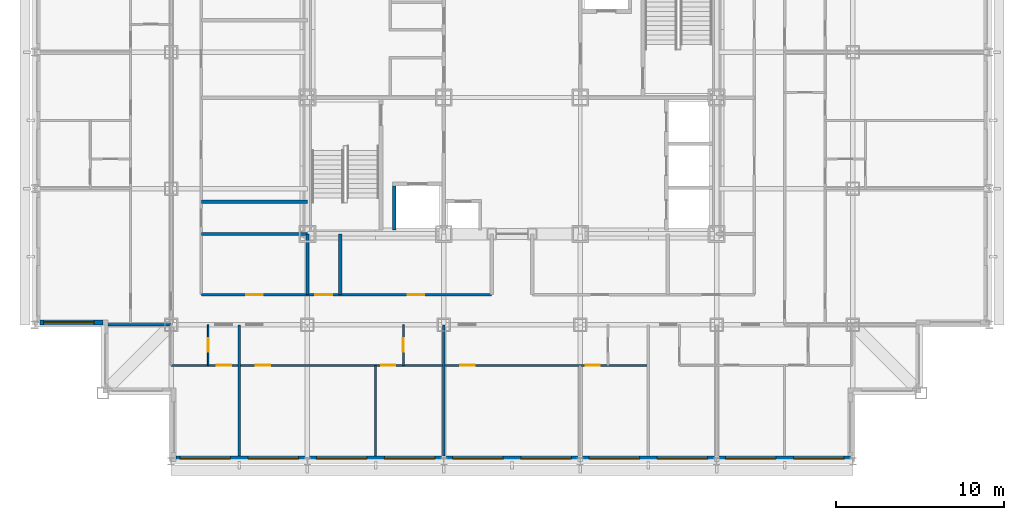
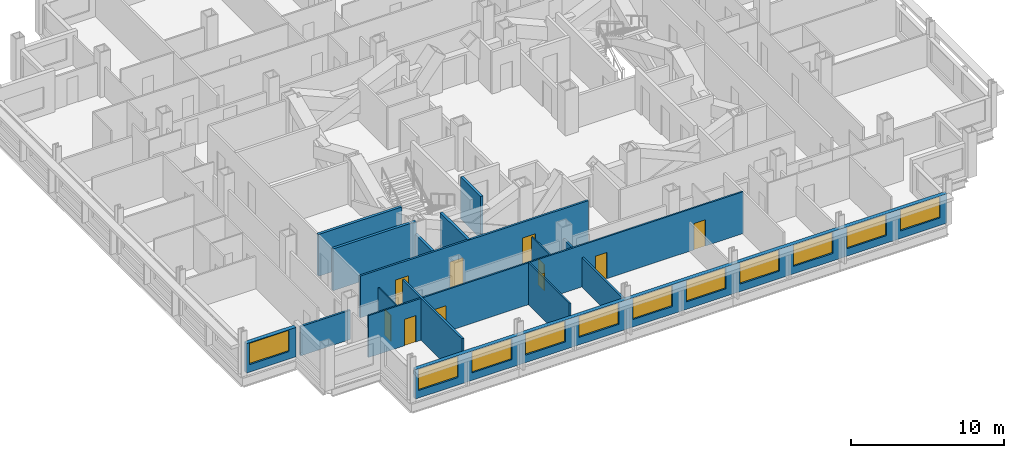
# One storey, part 4 of 12: 15 walls, 11 windows, 10 doors, 21 openings.
"""IFC4 building model written with IfcOpenShell, lengths in metres."""

from ifc_helpers import new_model, si_unit, direction, frame, frame_2d, origin, place, context, subcontext, project, spatial, rectangle, extrude, material, layer, layer_set, type_object, element, fill, save


model = new_model("IFC4")

# Units and contexts
model_context = context("Model", 3, precision=1e-05, world=origin(), true_north=direction((0.0, 1.0)))
body_context = subcontext(model_context, "Body", "Model", "MODEL_VIEW")
ifc_project = project(units=[si_unit("LENGTHUNIT", "METRE"), si_unit("AREAUNIT", "SQUARE_METRE"), si_unit("VOLUMEUNIT", "CUBIC_METRE"), si_unit("PLANEANGLEUNIT", "RADIAN"), si_unit("MASSUNIT", "GRAM", prefix="KILO")], contexts=[model_context])

# Site, building, storey
site_placement = place(None, origin())
site = spatial("IfcSite", under=ifc_project, at=site_placement, CompositionType="ELEMENT")
building_placement = place(site_placement, origin())
building = spatial("IfcBuilding", under=site, at=building_placement, Name="Kopane Lantern Tower", CompositionType="ELEMENT")
storey_placement = place(building_placement, frame((0.0, 0.0, 231.60009765625)))
storey = spatial("IfcBuildingStorey", under=building, at=storey_placement, Name="L60", CompositionType="ELEMENT", Elevation=231.60009765625)

# Wall
ifc_material_1 = material(Name="Gypsum board on steel studs", Category="steel")
ifc_layer_1 = layer(ifc_material_1, 0.1201171875)
ifc_layer_set_1 = layer_set([ifc_layer_1], Name="APARTMENT INTERNAL WALL 120")
wall_type_1 = type_object("IfcWallType", Name="APARTMENT INTERNAL WALL 120", PredefinedType="PARTITIONING", material=ifc_layer_set_1)
wall_1_placement = place(storey_placement, frame((20.25, 16.5, 0.0), z_axis=(0.0, 0.0, 1.0), x_axis=(0.0, -1.0, 0.0)))
element("IfcWall", 1, at=wall_1_placement, inside=storey, type_object=wall_type_1, Name="Apartment Internal Wall 120 L60", PredefinedType="PARTITIONING", context=body_context, shape_type="SweptSolid", body=[
    extrude(rectangle(XDim=5.39990234375, YDim=0.1201171875, at=frame_2d((2.699951171875, 0.0))), origin(), (0.0, 0.0, 1.0), 3.349853515625),
])

# Wall, openings, doors
wall_2_placement = place(storey_placement, frame((8.10009765625, 16.5, 0.0), z_axis=(0.0, 0.0, 1.0), x_axis=(1.0, 0.0, 0.0)))
wall_2 = element("IfcWall", 2, at=wall_2_placement, inside=storey, type_object=wall_type_1, Name="Apartment Internal Wall 120 L60", PredefinedType="PARTITIONING", context=body_context, shape_type="SweptSolid", body=[
    extrude(rectangle(XDim=28.349853515625, YDim=0.1201171875, at=frame_2d((14.1748046875, 0.0))), origin(), (0.0, 0.0, 1.0), 3.349853515625),
])
opening_1_placement = place(wall_2_placement, frame((5.02490234375, 0.0, 0.0)))
opening_1 = element("IfcOpeningElement", 3, at=opening_1_placement, cuts=wall_2, Name="Opening L60-014", PredefinedType="OPENING", context=body_context, shape_type="SweptSolid", body=[
    extrude(rectangle(XDim=0.85009765625, YDim=2.10009765625, at=frame_2d((0.425048828125, 1.050048828125))), frame((0.0, 0.070068359375, 0.0), z_axis=(0.0, -1.0, 0.0), x_axis=(1.0, 0.0, 0.0)), (0.0, 0.0, 1.0), 0.14013671875),
])
opening_2_placement = place(wall_2_placement, frame((12.47509765625, 0.0, 0.0)))
opening_2 = element("IfcOpeningElement", 4, at=opening_2_placement, cuts=wall_2, Name="Opening L60-015", PredefinedType="OPENING", context=body_context, shape_type="SweptSolid", body=[
    extrude(rectangle(XDim=0.85009765625, YDim=2.10009765625, at=frame_2d((0.425048828125, 1.050048828125))), frame((0.0, 0.070068359375, 0.0), z_axis=(0.0, -1.0, 0.0), x_axis=(1.0, 0.0, 0.0)), (0.0, 0.0, 1.0), 0.14013671875),
])
opening_3_placement = place(wall_2_placement, frame((17.175048828125, 0.0, 0.0)))
opening_3 = element("IfcOpeningElement", 5, at=opening_3_placement, cuts=wall_2, Name="Opening L60-018", PredefinedType="OPENING", context=body_context, shape_type="SweptSolid", body=[
    extrude(rectangle(XDim=0.85009765625, YDim=2.10009765625, at=frame_2d((0.425048828125, 1.050048828125))), frame((0.0, 0.070068359375, 0.0), z_axis=(0.0, -1.0, 0.0), x_axis=(1.0, 0.0, 0.0)), (0.0, 0.0, 1.0), 0.14013671875),
])
opening_4_placement = place(wall_2_placement, frame((24.625, 0.0, 0.0)))
opening_4 = element("IfcOpeningElement", 6, at=opening_4_placement, cuts=wall_2, Name="Opening L60-019", PredefinedType="OPENING", context=body_context, shape_type="SweptSolid", body=[
    extrude(rectangle(XDim=0.85009765625, YDim=2.10009765625, at=frame_2d((0.425048828125, 1.050048828125))), frame((0.0, 0.070068359375, 0.0), z_axis=(0.0, -1.0, 0.0), x_axis=(1.0, 0.0, 0.0)), (0.0, 0.0, 1.0), 0.14013671875),
])
opening_5_placement = place(wall_2_placement, frame((2.72509765625, 0.0, 0.0)))
opening_5 = element("IfcOpeningElement", 7, at=opening_5_placement, cuts=wall_2, Name="Opening L60-053", PredefinedType="OPENING", context=body_context, shape_type="SweptSolid", body=[
    extrude(rectangle(XDim=0.85009765625, YDim=2.10009765625, at=frame_2d((0.425048828125, 1.050048828125))), frame((0.0, 0.070068359375, 0.0), z_axis=(0.0, -1.0, 0.0), x_axis=(1.0, 0.0, 0.0)), (0.0, 0.0, 1.0), 0.14013671875),
])
ifc_material_2 = material(Name="Timber door set", Category="wood")
door_type_1 = type_object("IfcDoorType", Name="DOOR D4 850x2100", OperationType="SINGLE_SWING_LEFT", PredefinedType="DOOR", material=ifc_material_2)
door_1_placement = place(opening_1_placement, origin())
door_1 = element("IfcDoor", 8, at=door_1_placement, inside=storey, type_object=door_type_1, Name="Door L60-014", OperationType="SINGLE_SWING_LEFT", OverallHeight=2.10009765625, OverallWidth=0.85009765625, PredefinedType="DOOR", context=body_context, shape_type="SweptSolid", body=[
    extrude(rectangle(XDim=0.85009765625, YDim=2.10009765625, at=frame_2d((0.425048828125, 1.050048828125))), frame((0.0, 0.02490234375, 0.0), z_axis=(0.0, -1.0, 0.0), x_axis=(1.0, 0.0, 0.0)), (0.0, 0.0, 1.0), 0.050048828125),
])
fill(opening_1, door_1)
door_2_placement = place(opening_2_placement, origin())
door_2 = element("IfcDoor", 9, at=door_2_placement, inside=storey, type_object=door_type_1, Name="Door L60-015", OperationType="SINGLE_SWING_RIGHT", OverallHeight=2.10009765625, OverallWidth=0.85009765625, PredefinedType="DOOR", context=body_context, shape_type="SweptSolid", body=[
    extrude(rectangle(XDim=0.85009765625, YDim=2.10009765625, at=frame_2d((0.425048828125, 1.050048828125))), frame((0.0, 0.02490234375, 0.0), z_axis=(0.0, -1.0, 0.0), x_axis=(1.0, 0.0, 0.0)), (0.0, 0.0, 1.0), 0.050048828125),
])
fill(opening_2, door_2)
door_3_placement = place(opening_3_placement, origin())
door_3 = element("IfcDoor", 10, at=door_3_placement, inside=storey, type_object=door_type_1, Name="Door L60-018", OperationType="SINGLE_SWING_RIGHT", OverallHeight=2.10009765625, OverallWidth=0.85009765625, PredefinedType="DOOR", context=body_context, shape_type="SweptSolid", body=[
    extrude(rectangle(XDim=0.85009765625, YDim=2.10009765625, at=frame_2d((0.425048828125, 1.050048828125))), frame((0.0, 0.02490234375, 0.0), z_axis=(0.0, -1.0, 0.0), x_axis=(1.0, 0.0, 0.0)), (0.0, 0.0, 1.0), 0.050048828125),
])
fill(opening_3, door_3)
door_4_placement = place(opening_4_placement, origin())
door_4 = element("IfcDoor", 11, at=door_4_placement, inside=storey, type_object=door_type_1, Name="Door L60-019", OperationType="SINGLE_SWING_RIGHT", OverallHeight=2.10009765625, OverallWidth=0.85009765625, PredefinedType="DOOR", context=body_context, shape_type="SweptSolid", body=[
    extrude(rectangle(XDim=0.85009765625, YDim=2.10009765625, at=frame_2d((0.425048828125, 1.050048828125))), frame((0.0, 0.02490234375, 0.0), z_axis=(0.0, -1.0, 0.0), x_axis=(1.0, 0.0, 0.0)), (0.0, 0.0, 1.0), 0.050048828125),
])
fill(opening_4, door_4)
door_5_placement = place(opening_5_placement, origin())
door_5 = element("IfcDoor", 12, at=door_5_placement, inside=storey, type_object=door_type_1, Name="Door L60-053", OperationType="SINGLE_SWING_LEFT", OverallHeight=2.10009765625, OverallWidth=0.85009765625, PredefinedType="DOOR", context=body_context, shape_type="SweptSolid", body=[
    extrude(rectangle(XDim=0.85009765625, YDim=2.10009765625, at=frame_2d((0.425048828125, 1.050048828125))), frame((0.0, 0.02490234375, 0.0), z_axis=(0.0, -1.0, 0.0), x_axis=(1.0, 0.0, 0.0)), (0.0, 0.0, 1.0), 0.050048828125),
])
fill(opening_5, door_5)

# Wall, opening, door
ifc_material_3 = material(Name="Moisture-resistant board on steel studs", Category="steel")
ifc_layer_2 = layer(ifc_material_3, 0.10009765625)
ifc_layer_set_2 = layer_set([ifc_layer_2], Name="BATHROOM WALL 100")
wall_type_2 = type_object("IfcWallType", Name="BATHROOM WALL 100", PredefinedType="PARTITIONING", material=ifc_layer_set_2)
wall_3_placement = place(storey_placement, frame((21.89990234375, 18.89990234375, 0.0), z_axis=(0.0, 0.0, 1.0), x_axis=(0.0, -1.0, 0.0)))
wall_3 = element("IfcWall", 13, at=wall_3_placement, inside=storey, type_object=wall_type_2, Name="Bathroom Wall 100 L60", PredefinedType="PARTITIONING", context=body_context, shape_type="SweptSolid", body=[
    extrude(rectangle(XDim=2.39990234375, YDim=0.10009765625, at=frame_2d((1.199951171875, 0.0))), origin(), (0.0, 0.0, 1.0), 3.349853515625),
])
opening_6_placement = place(wall_3_placement, frame((0.800048828125, 0.0, 0.0)))
opening_6 = element("IfcOpeningElement", 14, at=opening_6_placement, cuts=wall_3, Name="Opening L60-012", PredefinedType="OPENING", context=body_context, shape_type="SweptSolid", body=[
    extrude(rectangle(XDim=0.800048828125, YDim=2.10009765625, at=frame_2d((0.39990234375, 1.050048828125))), frame((0.0, 0.06005859375, 0.0), z_axis=(0.0, -1.0, 0.0), x_axis=(1.0, 0.0, 0.0)), (0.0, 0.0, 1.0), 0.1201171875),
])
ifc_material_4 = material(Name="Timber door set", Category="wood")
door_type_2 = type_object("IfcDoorType", Name="DOOR D2 800x2100", OperationType="SINGLE_SWING_LEFT", PredefinedType="DOOR", material=ifc_material_4)
door_6_placement = place(opening_6_placement, origin())
door_6 = element("IfcDoor", 15, at=door_6_placement, inside=storey, type_object=door_type_2, Name="Door L60-012", OperationType="SINGLE_SWING_LEFT", OverallHeight=2.10009765625, OverallWidth=0.800048828125, PredefinedType="DOOR", context=body_context, shape_type="SweptSolid", body=[
    extrude(rectangle(XDim=0.800048828125, YDim=2.10009765625, at=frame_2d((0.39990234375, 1.050048828125))), frame((0.0, 0.02490234375, 0.0), z_axis=(0.0, -1.0, 0.0), x_axis=(1.0, 0.0, 0.0)), (0.0, 0.0, 1.0), 0.050048828125),
])
fill(opening_6, door_6)

wall_4_placement = place(storey_placement, frame((10.300048828125, 18.89990234375, 0.0), z_axis=(0.0, 0.0, 1.0), x_axis=(0.0, -1.0, 0.0)))
wall_4 = element("IfcWall", 16, at=wall_4_placement, inside=storey, type_object=wall_type_2, Name="Bathroom Wall 100 L60", PredefinedType="PARTITIONING", context=body_context, shape_type="SweptSolid", body=[
    extrude(rectangle(XDim=2.39990234375, YDim=0.10009765625, at=frame_2d((1.199951171875, 0.0))), origin(), (0.0, 0.0, 1.0), 3.349853515625),
])
opening_7_placement = place(wall_4_placement, frame((0.800048828125, 0.0, 0.0)))
opening_7 = element("IfcOpeningElement", 17, at=opening_7_placement, cuts=wall_4, Name="Opening L60-051", PredefinedType="OPENING", context=body_context, shape_type="SweptSolid", body=[
    extrude(rectangle(XDim=0.800048828125, YDim=2.10009765625, at=frame_2d((0.39990234375, 1.050048828125))), frame((0.0, 0.06005859375, 0.0), z_axis=(0.0, -1.0, 0.0), x_axis=(1.0, 0.0, 0.0)), (0.0, 0.0, 1.0), 0.1201171875),
])
door_7_placement = place(opening_7_placement, origin())
door_7 = element("IfcDoor", 18, at=door_7_placement, inside=storey, type_object=door_type_2, Name="Door L60-051", OperationType="SINGLE_SWING_RIGHT", OverallHeight=2.10009765625, OverallWidth=0.800048828125, PredefinedType="DOOR", context=body_context, shape_type="SweptSolid", body=[
    extrude(rectangle(XDim=0.800048828125, YDim=2.10009765625, at=frame_2d((0.39990234375, 1.050048828125))), frame((0.0, 0.02490234375, 0.0), z_axis=(0.0, -1.0, 0.0), x_axis=(1.0, 0.0, 0.0)), (0.0, 0.0, 1.0), 0.050048828125),
])
fill(opening_7, door_7)

# Wall, openings, doors
ifc_material_5 = material(Name="Gypsum board on steel studs", Category="steel")
ifc_layer_3 = layer(ifc_material_5, 0.14990234375)
ifc_layer_set_3 = layer_set([ifc_layer_3], Name="CORRIDOR WALL 150 EI 60")
wall_type_3 = type_object("IfcWallType", Name="CORRIDOR WALL 150 EI 60", PredefinedType="PARTITIONING", material=ifc_layer_set_3)
wall_5_placement = place(storey_placement, frame((9.89990234375, 20.699951171875, 0.0), z_axis=(0.0, 0.0, 1.0), x_axis=(1.0, 0.0, 0.0)))
wall_5 = element("IfcWall", 19, at=wall_5_placement, inside=storey, type_object=wall_type_3, Name="Corridor Wall 150 Ei 60 L60", PredefinedType="PARTITIONING", context=body_context, shape_type="SweptSolid", body=[
    extrude(rectangle(XDim=17.239990234375, YDim=0.14990234375, at=frame_2d((8.6201171875, 0.0))), origin(), (0.0, 0.0, 1.0), 3.349853515625),
])
opening_8_placement = place(wall_5_placement, frame((2.64990234375, 0.0, 0.0)))
opening_8 = element("IfcOpeningElement", 20, at=opening_8_placement, cuts=wall_5, Name="Opening L60-007", PredefinedType="OPENING", context=body_context, shape_type="SweptSolid", body=[
    extrude(rectangle(XDim=1.0, YDim=2.10009765625, at=frame_2d((0.5, 1.050048828125))), frame((0.0, 0.0849609375, 0.0), z_axis=(0.0, -1.0, 0.0), x_axis=(1.0, 0.0, 0.0)), (0.0, 0.0, 1.0), 0.169921875),
])
opening_9_placement = place(wall_5_placement, frame((6.772216796875, 0.0, 0.0)))
opening_9 = element("IfcOpeningElement", 21, at=opening_9_placement, cuts=wall_5, Name="Opening L60-008", PredefinedType="OPENING", context=body_context, shape_type="SweptSolid", body=[
    extrude(rectangle(XDim=1.0, YDim=2.10009765625, at=frame_2d((0.5, 1.050048828125))), frame((0.0, 0.0849609375, 0.0), z_axis=(0.0, -1.0, 0.0), x_axis=(1.0, 0.0, 0.0)), (0.0, 0.0, 1.0), 0.169921875),
])
opening_10_placement = place(wall_5_placement, frame((12.247314453125, 0.0, 0.0)))
opening_10 = element("IfcOpeningElement", 22, at=opening_10_placement, cuts=wall_5, Name="Opening L60-009", PredefinedType="OPENING", context=body_context, shape_type="SweptSolid", body=[
    extrude(rectangle(XDim=1.0, YDim=2.10009765625, at=frame_2d((0.5, 1.050048828125))), frame((0.0, 0.0849609375, 0.0), z_axis=(0.0, -1.0, 0.0), x_axis=(1.0, 0.0, 0.0)), (0.0, 0.0, 1.0), 0.169921875),
])
ifc_material_6 = material(Name="Steel door set", Category="steel")
door_type_3 = type_object("IfcDoorType", Name="DOOR D5 1000x2100 FD60", OperationType="SINGLE_SWING_LEFT", PredefinedType="DOOR", material=ifc_material_6)
door_8_placement = place(opening_8_placement, origin())
door_8 = element("IfcDoor", 23, at=door_8_placement, inside=storey, type_object=door_type_3, Name="Door L60-007", OperationType="SINGLE_SWING_LEFT", OverallHeight=2.10009765625, OverallWidth=1.0, PredefinedType="DOOR", context=body_context, shape_type="SweptSolid", body=[
    extrude(rectangle(XDim=1.0, YDim=2.10009765625, at=frame_2d((0.5, 1.050048828125))), frame((0.0, 0.02490234375, 0.0), z_axis=(0.0, -1.0, 0.0), x_axis=(1.0, 0.0, 0.0)), (0.0, 0.0, 1.0), 0.050048828125),
])
fill(opening_8, door_8)
door_9_placement = place(opening_9_placement, origin())
door_9 = element("IfcDoor", 24, at=door_9_placement, inside=storey, type_object=door_type_3, Name="Door L60-008", OperationType="SINGLE_SWING_RIGHT", OverallHeight=2.10009765625, OverallWidth=1.0, PredefinedType="DOOR", context=body_context, shape_type="SweptSolid", body=[
    extrude(rectangle(XDim=1.0, YDim=2.10009765625, at=frame_2d((0.5, 1.050048828125))), frame((0.0, 0.02490234375, 0.0), z_axis=(0.0, -1.0, 0.0), x_axis=(1.0, 0.0, 0.0)), (0.0, 0.0, 1.0), 0.050048828125),
])
fill(opening_9, door_9)
door_10_placement = place(opening_10_placement, origin())
door_10 = element("IfcDoor", 25, at=door_10_placement, inside=storey, type_object=door_type_3, Name="Door L60-009", OperationType="SINGLE_SWING_LEFT", OverallHeight=2.10009765625, OverallWidth=1.0, PredefinedType="DOOR", context=body_context, shape_type="SweptSolid", body=[
    extrude(rectangle(XDim=1.0, YDim=2.10009765625, at=frame_2d((0.5, 1.050048828125))), frame((0.0, 0.02490234375, 0.0), z_axis=(0.0, -1.0, 0.0), x_axis=(1.0, 0.0, 0.0)), (0.0, 0.0, 1.0), 0.050048828125),
])
fill(opening_10, door_10)

# Walls
ifc_material_7 = material(Name="Gypsum board on steel studs", Category="steel")
ifc_layer_4 = layer(ifc_material_7, 0.14990234375)
ifc_layer_set_4 = layer_set([ifc_layer_4], Name="DEMISING WALL 150 EI 60")
wall_type_4 = type_object("IfcWallType", Name="DEMISING WALL 150 EI 60", PredefinedType="PARTITIONING", material=ifc_layer_set_4)
wall_6_placement = place(storey_placement, frame((24.300048828125, 18.89990234375, 0.0), z_axis=(0.0, 0.0, 1.0), x_axis=(0.0, -1.0, 0.0)))
element("IfcWall", 26, at=wall_6_placement, inside=storey, type_object=wall_type_4, Name="Demising Wall 150 Ei 60 L60", PredefinedType="PARTITIONING", context=body_context, shape_type="SweptSolid", body=[
    extrude(rectangle(XDim=7.7998046875, YDim=0.14990234375, at=frame_2d((3.89990234375, 0.0))), origin(), (0.0, 0.0, 1.0), 2.349853515625),
])
wall_7_placement = place(storey_placement, frame((4.35009765625, 18.89990234375, 0.0), z_axis=(0.0, 0.0, 1.0), x_axis=(1.0, 0.0, 0.0)))
element("IfcWall", 27, at=wall_7_placement, inside=storey, type_object=wall_type_4, Name="Demising Wall 150 Ei 60 L60", PredefinedType="PARTITIONING", context=body_context, shape_type="SweptSolid", body=[
    extrude(rectangle(XDim=3.75, YDim=0.14990234375, at=frame_2d((1.875, 0.0))), origin(), (0.0, 0.0, 1.0), 2.349853515625),
])
wall_8_placement = place(storey_placement, frame((12.14990234375, 18.89990234375, 0.0), z_axis=(0.0, 0.0, 1.0), x_axis=(0.0, -1.0, 0.0)))
element("IfcWall", 28, at=wall_8_placement, inside=storey, type_object=wall_type_4, Name="Demising Wall 150 Ei 60 L60", PredefinedType="PARTITIONING", context=body_context, shape_type="SweptSolid", body=[
    extrude(rectangle(XDim=7.7998046875, YDim=0.14990234375, at=frame_2d((3.89990234375, 0.0))), origin(), (0.0, 0.0, 1.0), 3.349853515625),
])

# Wall, openings, windows
ifc_material_8 = material(Name="Terracotta rainscreen on light steel framing", Category="masonry")
ifc_layer_5 = layer(ifc_material_8, 0.300048828125)
ifc_layer_set_5 = layer_set([ifc_layer_5], Name="EXTERNAL WALL EW1 300 TERRACOTTA")
wall_type_5 = type_object("IfcWallType", Name="EXTERNAL WALL EW1 300 TERRACOTTA", PredefinedType="SOLIDWALL", material=ifc_layer_set_5)
wall_9_placement = place(storey_placement, frame((8.39990234375, 10.949951171875, 0.0), z_axis=(0.0, 0.0, 1.0), x_axis=(1.0, 0.0, 0.0)))
wall_9 = element("IfcWall", 29, at=wall_9_placement, inside=storey, type_object=wall_type_5, Name="External wall S L60", PredefinedType="SOLIDWALL", context=body_context, shape_type="SweptSolid", body=[
    extrude(rectangle(XDim=40.2001953125, YDim=0.300048828125, at=frame_2d((20.10009765625, 0.0))), origin(), (0.0, 0.0, 1.0), 2.349853515625),
])
opening_11_placement = place(wall_9_placement, frame((0.22509765625, 0.0, 0.60009765625)))
opening_11 = element("IfcOpeningElement", 30, at=opening_11_placement, cuts=wall_9, Name="Opening WR300170", PredefinedType="OPENING", context=body_context, shape_type="SweptSolid", body=[
    extrude(rectangle(XDim=3.0, YDim=1.699951171875, at=frame_2d((1.5, 0.85009765625))), frame((0.0, 0.159912109375, 0.0), z_axis=(0.0, -1.0, 0.0), x_axis=(1.0, 0.0, 0.0)), (0.0, 0.0, 1.0), 0.320068359375),
])
opening_12_placement = place(wall_9_placement, frame((4.27490234375, 0.0, 0.60009765625)))
opening_12 = element("IfcOpeningElement", 31, at=opening_12_placement, cuts=wall_9, Name="Opening WR300170", PredefinedType="OPENING", context=body_context, shape_type="SweptSolid", body=[
    extrude(rectangle(XDim=3.0, YDim=1.699951171875, at=frame_2d((1.5, 0.85009765625))), frame((0.0, 0.159912109375, 0.0), z_axis=(0.0, -1.0, 0.0), x_axis=(1.0, 0.0, 0.0)), (0.0, 0.0, 1.0), 0.320068359375),
])
opening_13_placement = place(wall_9_placement, frame((8.324951171875, 0.0, 0.60009765625)))
opening_13 = element("IfcOpeningElement", 32, at=opening_13_placement, cuts=wall_9, Name="Opening WR300170", PredefinedType="OPENING", context=body_context, shape_type="SweptSolid", body=[
    extrude(rectangle(XDim=3.0, YDim=1.699951171875, at=frame_2d((1.5, 0.85009765625))), frame((0.0, 0.159912109375, 0.0), z_axis=(0.0, -1.0, 0.0), x_axis=(1.0, 0.0, 0.0)), (0.0, 0.0, 1.0), 0.320068359375),
])
opening_14_placement = place(wall_9_placement, frame((12.375, 0.0, 0.60009765625)))
opening_14 = element("IfcOpeningElement", 33, at=opening_14_placement, cuts=wall_9, Name="Opening WR300170", PredefinedType="OPENING", context=body_context, shape_type="SweptSolid", body=[
    extrude(rectangle(XDim=3.0, YDim=1.699951171875, at=frame_2d((1.5, 0.85009765625))), frame((0.0, 0.159912109375, 0.0), z_axis=(0.0, -1.0, 0.0), x_axis=(1.0, 0.0, 0.0)), (0.0, 0.0, 1.0), 0.320068359375),
])
opening_15_placement = place(wall_9_placement, frame((16.425048828125, 0.0, 0.60009765625)))
opening_15 = element("IfcOpeningElement", 34, at=opening_15_placement, cuts=wall_9, Name="Opening WR300170", PredefinedType="OPENING", context=body_context, shape_type="SweptSolid", body=[
    extrude(rectangle(XDim=3.0, YDim=1.699951171875, at=frame_2d((1.5, 0.85009765625))), frame((0.0, 0.159912109375, 0.0), z_axis=(0.0, -1.0, 0.0), x_axis=(1.0, 0.0, 0.0)), (0.0, 0.0, 1.0), 0.320068359375),
])
opening_16_placement = place(wall_9_placement, frame((20.47509765625, 0.0, 0.60009765625)))
opening_16 = element("IfcOpeningElement", 35, at=opening_16_placement, cuts=wall_9, Name="Opening WR300170", PredefinedType="OPENING", context=body_context, shape_type="SweptSolid", body=[
    extrude(rectangle(XDim=3.0, YDim=1.699951171875, at=frame_2d((1.5, 0.85009765625))), frame((0.0, 0.159912109375, 0.0), z_axis=(0.0, -1.0, 0.0), x_axis=(1.0, 0.0, 0.0)), (0.0, 0.0, 1.0), 0.320068359375),
])
opening_17_placement = place(wall_9_placement, frame((24.52490234375, 0.0, 0.60009765625)))
opening_17 = element("IfcOpeningElement", 36, at=opening_17_placement, cuts=wall_9, Name="Opening WR300170", PredefinedType="OPENING", context=body_context, shape_type="SweptSolid", body=[
    extrude(rectangle(XDim=3.0, YDim=1.699951171875, at=frame_2d((1.5, 0.85009765625))), frame((0.0, 0.159912109375, 0.0), z_axis=(0.0, -1.0, 0.0), x_axis=(1.0, 0.0, 0.0)), (0.0, 0.0, 1.0), 0.320068359375),
])
opening_18_placement = place(wall_9_placement, frame((28.574951171875, 0.0, 0.60009765625)))
opening_18 = element("IfcOpeningElement", 37, at=opening_18_placement, cuts=wall_9, Name="Opening WR300170", PredefinedType="OPENING", context=body_context, shape_type="SweptSolid", body=[
    extrude(rectangle(XDim=3.0, YDim=1.699951171875, at=frame_2d((1.5, 0.85009765625))), frame((0.0, 0.159912109375, 0.0), z_axis=(0.0, -1.0, 0.0), x_axis=(1.0, 0.0, 0.0)), (0.0, 0.0, 1.0), 0.320068359375),
])
opening_19_placement = place(wall_9_placement, frame((32.625, 0.0, 0.60009765625)))
opening_19 = element("IfcOpeningElement", 38, at=opening_19_placement, cuts=wall_9, Name="Opening WR300170", PredefinedType="OPENING", context=body_context, shape_type="SweptSolid", body=[
    extrude(rectangle(XDim=3.0, YDim=1.699951171875, at=frame_2d((1.5, 0.85009765625))), frame((0.0, 0.159912109375, 0.0), z_axis=(0.0, -1.0, 0.0), x_axis=(1.0, 0.0, 0.0)), (0.0, 0.0, 1.0), 0.320068359375),
])
opening_20_placement = place(wall_9_placement, frame((36.675048828125, 0.0, 0.60009765625)))
opening_20 = element("IfcOpeningElement", 39, at=opening_20_placement, cuts=wall_9, Name="Opening WR300170", PredefinedType="OPENING", context=body_context, shape_type="SweptSolid", body=[
    extrude(rectangle(XDim=3.0, YDim=1.699951171875, at=frame_2d((1.5, 0.85009765625))), frame((0.0, 0.159912109375, 0.0), z_axis=(0.0, -1.0, 0.0), x_axis=(1.0, 0.0, 0.0)), (0.0, 0.0, 1.0), 0.320068359375),
])
ifc_material_9 = material(Name="Aluminium and clear glass", Category="aluminium")
window_type = type_object("IfcWindowType", Name="RIBBON WINDOW WR300170 3000x1700", PartitioningType="SINGLE_PANEL", PredefinedType="WINDOW", material=ifc_material_9)
window_1_placement = place(opening_11_placement, origin())
window_1 = element("IfcWindow", 40, at=window_1_placement, inside=storey, type_object=window_type, Name="Window S L60", OverallHeight=1.699951171875, OverallWidth=3.0, PartitioningType="SINGLE_PANEL", PredefinedType="WINDOW", context=body_context, shape_type="SweptSolid", body=[
    extrude(rectangle(XDim=3.0, YDim=1.699951171875, at=frame_2d((1.5, 0.85009765625))), frame((0.0, 0.030029296875, 0.0), z_axis=(0.0, -1.0, 0.0), x_axis=(1.0, 0.0, 0.0)), (0.0, 0.0, 1.0), 0.06005859375),
])
fill(opening_11, window_1)
window_2_placement = place(opening_12_placement, origin())
window_2 = element("IfcWindow", 41, at=window_2_placement, inside=storey, type_object=window_type, Name="Window S L60", OverallHeight=1.699951171875, OverallWidth=3.0, PartitioningType="SINGLE_PANEL", PredefinedType="WINDOW", context=body_context, shape_type="SweptSolid", body=[
    extrude(rectangle(XDim=3.0, YDim=1.699951171875, at=frame_2d((1.5, 0.85009765625))), frame((0.0, 0.030029296875, 0.0), z_axis=(0.0, -1.0, 0.0), x_axis=(1.0, 0.0, 0.0)), (0.0, 0.0, 1.0), 0.06005859375),
])
fill(opening_12, window_2)
window_3_placement = place(opening_13_placement, origin())
window_3 = element("IfcWindow", 42, at=window_3_placement, inside=storey, type_object=window_type, Name="Window S L60", OverallHeight=1.699951171875, OverallWidth=3.0, PartitioningType="SINGLE_PANEL", PredefinedType="WINDOW", context=body_context, shape_type="SweptSolid", body=[
    extrude(rectangle(XDim=3.0, YDim=1.699951171875, at=frame_2d((1.5, 0.85009765625))), frame((0.0, 0.030029296875, 0.0), z_axis=(0.0, -1.0, 0.0), x_axis=(1.0, 0.0, 0.0)), (0.0, 0.0, 1.0), 0.06005859375),
])
fill(opening_13, window_3)
window_4_placement = place(opening_14_placement, origin())
window_4 = element("IfcWindow", 43, at=window_4_placement, inside=storey, type_object=window_type, Name="Window S L60", OverallHeight=1.699951171875, OverallWidth=3.0, PartitioningType="SINGLE_PANEL", PredefinedType="WINDOW", context=body_context, shape_type="SweptSolid", body=[
    extrude(rectangle(XDim=3.0, YDim=1.699951171875, at=frame_2d((1.5, 0.85009765625))), frame((0.0, 0.030029296875, 0.0), z_axis=(0.0, -1.0, 0.0), x_axis=(1.0, 0.0, 0.0)), (0.0, 0.0, 1.0), 0.06005859375),
])
fill(opening_14, window_4)
window_5_placement = place(opening_15_placement, origin())
window_5 = element("IfcWindow", 44, at=window_5_placement, inside=storey, type_object=window_type, Name="Window S L60", OverallHeight=1.699951171875, OverallWidth=3.0, PartitioningType="SINGLE_PANEL", PredefinedType="WINDOW", context=body_context, shape_type="SweptSolid", body=[
    extrude(rectangle(XDim=3.0, YDim=1.699951171875, at=frame_2d((1.5, 0.85009765625))), frame((0.0, 0.030029296875, 0.0), z_axis=(0.0, -1.0, 0.0), x_axis=(1.0, 0.0, 0.0)), (0.0, 0.0, 1.0), 0.06005859375),
])
fill(opening_15, window_5)
window_6_placement = place(opening_16_placement, origin())
window_6 = element("IfcWindow", 45, at=window_6_placement, inside=storey, type_object=window_type, Name="Window S L60", OverallHeight=1.699951171875, OverallWidth=3.0, PartitioningType="SINGLE_PANEL", PredefinedType="WINDOW", context=body_context, shape_type="SweptSolid", body=[
    extrude(rectangle(XDim=3.0, YDim=1.699951171875, at=frame_2d((1.5, 0.85009765625))), frame((0.0, 0.030029296875, 0.0), z_axis=(0.0, -1.0, 0.0), x_axis=(1.0, 0.0, 0.0)), (0.0, 0.0, 1.0), 0.06005859375),
])
fill(opening_16, window_6)
window_7_placement = place(opening_17_placement, origin())
window_7 = element("IfcWindow", 46, at=window_7_placement, inside=storey, type_object=window_type, Name="Window S L60", OverallHeight=1.699951171875, OverallWidth=3.0, PartitioningType="SINGLE_PANEL", PredefinedType="WINDOW", context=body_context, shape_type="SweptSolid", body=[
    extrude(rectangle(XDim=3.0, YDim=1.699951171875, at=frame_2d((1.5, 0.85009765625))), frame((0.0, 0.030029296875, 0.0), z_axis=(0.0, -1.0, 0.0), x_axis=(1.0, 0.0, 0.0)), (0.0, 0.0, 1.0), 0.06005859375),
])
fill(opening_17, window_7)
window_8_placement = place(opening_18_placement, origin())
window_8 = element("IfcWindow", 47, at=window_8_placement, inside=storey, type_object=window_type, Name="Window S L60", OverallHeight=1.699951171875, OverallWidth=3.0, PartitioningType="SINGLE_PANEL", PredefinedType="WINDOW", context=body_context, shape_type="SweptSolid", body=[
    extrude(rectangle(XDim=3.0, YDim=1.699951171875, at=frame_2d((1.5, 0.85009765625))), frame((0.0, 0.030029296875, 0.0), z_axis=(0.0, -1.0, 0.0), x_axis=(1.0, 0.0, 0.0)), (0.0, 0.0, 1.0), 0.06005859375),
])
fill(opening_18, window_8)
window_9_placement = place(opening_19_placement, origin())
window_9 = element("IfcWindow", 48, at=window_9_placement, inside=storey, type_object=window_type, Name="Window S L60", OverallHeight=1.699951171875, OverallWidth=3.0, PartitioningType="SINGLE_PANEL", PredefinedType="WINDOW", context=body_context, shape_type="SweptSolid", body=[
    extrude(rectangle(XDim=3.0, YDim=1.699951171875, at=frame_2d((1.5, 0.85009765625))), frame((0.0, 0.030029296875, 0.0), z_axis=(0.0, -1.0, 0.0), x_axis=(1.0, 0.0, 0.0)), (0.0, 0.0, 1.0), 0.06005859375),
])
fill(opening_19, window_9)
window_10_placement = place(opening_20_placement, origin())
window_10 = element("IfcWindow", 49, at=window_10_placement, inside=storey, type_object=window_type, Name="Window S L60", OverallHeight=1.699951171875, OverallWidth=3.0, PartitioningType="SINGLE_PANEL", PredefinedType="WINDOW", context=body_context, shape_type="SweptSolid", body=[
    extrude(rectangle(XDim=3.0, YDim=1.699951171875, at=frame_2d((1.5, 0.85009765625))), frame((0.0, 0.030029296875, 0.0), z_axis=(0.0, -1.0, 0.0), x_axis=(1.0, 0.0, 0.0)), (0.0, 0.0, 1.0), 0.06005859375),
])
fill(opening_20, window_10)

# Wall, opening, window
wall_10_placement = place(storey_placement, frame((0.300048828125, 19.050048828125, 0.0), z_axis=(0.0, 0.0, 1.0), x_axis=(1.0, 0.0, 0.0)))
wall_10 = element("IfcWall", 50, at=wall_10_placement, inside=storey, type_object=wall_type_5, Name="External wall S L60", PredefinedType="SOLIDWALL", context=body_context, shape_type="SweptSolid", body=[
    extrude(rectangle(XDim=3.75, YDim=0.300048828125, at=frame_2d((1.875, 0.0))), origin(), (0.0, 0.0, 1.0), 2.349853515625),
])
opening_21_placement = place(wall_10_placement, frame((0.22509765625, 0.0, 0.60009765625)))
opening_21 = element("IfcOpeningElement", 51, at=opening_21_placement, cuts=wall_10, Name="Opening WR300170", PredefinedType="OPENING", context=body_context, shape_type="SweptSolid", body=[
    extrude(rectangle(XDim=3.0, YDim=1.699951171875, at=frame_2d((1.5, 0.85009765625))), frame((0.0, 0.159912109375, 0.0), z_axis=(0.0, -1.0, 0.0), x_axis=(1.0, 0.0, 0.0)), (0.0, 0.0, 1.0), 0.320068359375),
])
window_11_placement = place(opening_21_placement, origin())
window_11 = element("IfcWindow", 52, at=window_11_placement, inside=storey, type_object=window_type, Name="Window S L60", OverallHeight=1.699951171875, OverallWidth=3.0, PartitioningType="SINGLE_PANEL", PredefinedType="WINDOW", context=body_context, shape_type="SweptSolid", body=[
    extrude(rectangle(XDim=3.0, YDim=1.699951171875, at=frame_2d((1.5, 0.85009765625))), frame((0.0, 0.030029296875, 0.0), z_axis=(0.0, -1.0, 0.0), x_axis=(1.0, 0.0, 0.0)), (0.0, 0.0, 1.0), 0.06005859375),
])
fill(opening_21, window_11)

# Walls
ifc_material_10 = material(Name="Concrete masonry", Category="masonry")
ifc_layer_6 = layer(ifc_material_10, 0.199951171875)
ifc_layer_set_6 = layer_set([ifc_layer_6], Name="PLANT ROOM WALL 200 EI 120")
wall_type_6 = type_object("IfcWallType", Name="PLANT ROOM WALL 200 EI 120", PredefinedType="SOLIDWALL", material=ifc_layer_set_6)
wall_11_placement = place(storey_placement, frame((9.89990234375, 26.204833984375, 0.0), z_axis=(0.0, 0.0, 1.0), x_axis=(1.0, 0.0, 0.0)))
element("IfcWall", 53, at=wall_11_placement, inside=storey, type_object=wall_type_6, Name="Plant Room Wall 200 Ei 120 L60", PredefinedType="SOLIDWALL", context=body_context, shape_type="SweptSolid", body=[
    extrude(rectangle(XDim=6.300048828125, YDim=0.199951171875, at=frame_2d((3.14990234375, 0.0))), origin(), (0.0, 0.0, 1.0), 3.349853515625),
])
wall_12_placement = place(storey_placement, frame((16.199951171875, 20.699951171875, 0.0), z_axis=(0.0, 0.0, 1.0), x_axis=(0.0, 1.0, 0.0)))
element("IfcWall", 54, at=wall_12_placement, inside=storey, type_object=wall_type_6, Name="Plant Room Wall 200 Ei 120 L60", PredefinedType="SOLIDWALL", context=body_context, shape_type="SweptSolid", body=[
    extrude(rectangle(XDim=3.60009765625, YDim=0.199951171875, at=frame_2d((1.800048828125, 0.0))), origin(), (0.0, 0.0, 1.0), 2.349853515625),
])
wall_13_placement = place(storey_placement, frame((18.144287109375, 20.699951171875, 0.0), z_axis=(0.0, 0.0, 1.0), x_axis=(0.0, 1.0, 0.0)))
element("IfcWall", 55, at=wall_13_placement, inside=storey, type_object=wall_type_6, Name="Plant Room Wall 200 Ei 120 L60", PredefinedType="SOLIDWALL", context=body_context, shape_type="SweptSolid", body=[
    extrude(rectangle(XDim=3.60009765625, YDim=0.199951171875, at=frame_2d((1.800048828125, 0.0))), origin(), (0.0, 0.0, 1.0), 3.349853515625),
])
wall_14_placement = place(storey_placement, frame((9.89990234375, 24.300048828125, 0.0), z_axis=(0.0, 0.0, 1.0), x_axis=(1.0, 0.0, 0.0)))
element("IfcWall", 56, at=wall_14_placement, inside=storey, type_object=wall_type_6, Name="Plant Room Wall 200 Ei 120 L60", PredefinedType="SOLIDWALL", context=body_context, shape_type="SweptSolid", body=[
    extrude(rectangle(XDim=6.300048828125, YDim=0.199951171875, at=frame_2d((3.14990234375, 0.0))), origin(), (0.0, 0.0, 1.0), 3.349853515625),
])
ifc_material_11 = material(Name="Gypsum shaft wall EI 120", Category="gypsum")
ifc_layer_7 = layer(ifc_material_11, 0.199951171875)
ifc_layer_set_7 = layer_set([ifc_layer_7], Name="SHAFT WALL 200 EI 120")
wall_type_7 = type_object("IfcWallType", Name="SHAFT WALL 200 EI 120", PredefinedType="SOLIDWALL", material=ifc_layer_set_7)
wall_15_placement = place(storey_placement, frame((21.35009765625, 24.550048828125, 0.0), z_axis=(0.0, 0.0, 1.0), x_axis=(0.0, 1.0, 0.0)))
element("IfcWall", 57, at=wall_15_placement, inside=storey, type_object=wall_type_7, Name="Core shaft wall L60 XLF1", PredefinedType="SOLIDWALL", context=body_context, shape_type="SweptSolid", body=[
    extrude(rectangle(XDim=2.599853515625, YDim=0.199951171875, at=frame_2d((1.2998046875, 0.0))), origin(), (0.0, 0.0, 1.0), 3.349853515625),
])

save(model, "model.ifc")
